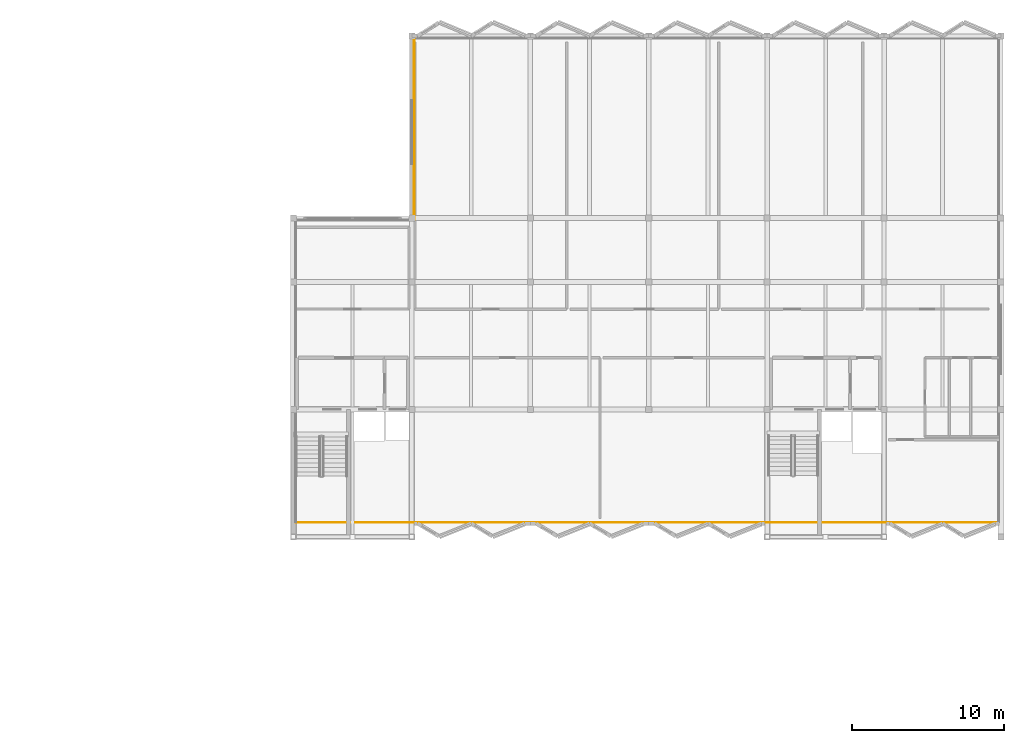
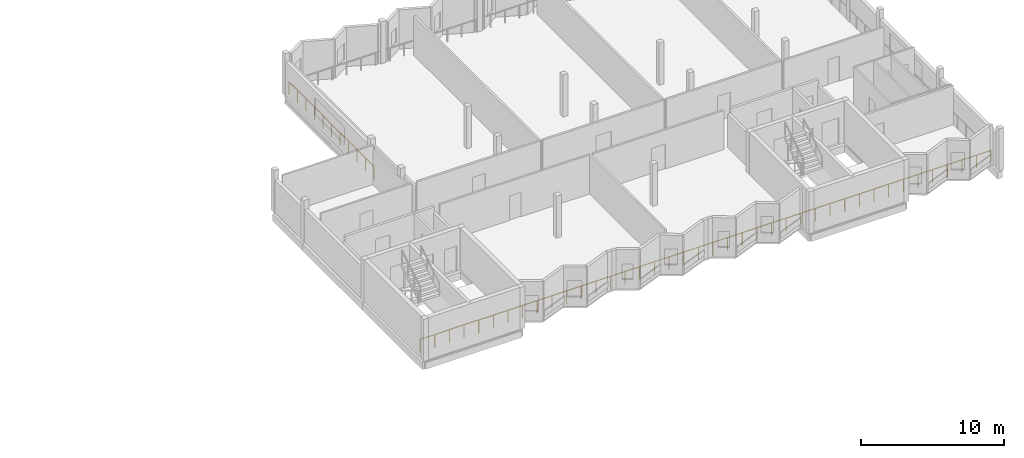
# One storey, part 13 of 15: 2 railings.
"""IFC4 building model written with IfcOpenShell, lengths in metres."""

from ifc_helpers import new_model, si_unit, direction, frame, origin, origin_2d, place, context, subcontext, project, spatial, circle, extrude, material, type_object, element, save


model = new_model("IFC4")

# Units and contexts
model_context = context("Model", 3, precision=1e-05, world=origin(), true_north=direction((0.0, 1.0)))
body_context = subcontext(model_context, "Body", "Model", "MODEL_VIEW")
ifc_project = project(units=[si_unit("LENGTHUNIT", "METRE"), si_unit("AREAUNIT", "SQUARE_METRE"), si_unit("VOLUMEUNIT", "CUBIC_METRE"), si_unit("PLANEANGLEUNIT", "RADIAN"), si_unit("MASSUNIT", "GRAM", prefix="KILO")], contexts=[model_context])

# Site, building, storey
site_placement = place(None, origin())
site = spatial("IfcSite", under=ifc_project, at=site_placement, CompositionType="ELEMENT")
building_placement = place(site_placement, origin())
building = spatial("IfcBuilding", under=site, at=building_placement, Name="Vharandega Faculty of Natural Sciences", CompositionType="ELEMENT")
storey_placement = place(building_placement, frame((0.0, 0.0, 32.39990234375)))
storey = spatial("IfcBuildingStorey", under=building, at=storey_placement, Name="L08", CompositionType="ELEMENT", Elevation=32.39990234375)

# Railings
ifc_material = material(Name="Galvanised painted steel balustrade", Category="steel")
railing_type = type_object("IfcRailingType", Name="Terrace Steel Guardrail 1100", PredefinedType="GUARDRAIL", material=ifc_material)
railing_1_placement = place(storey_placement, frame((114.97509765625, 64.949951171875, 0.0)))
element("IfcRailing", 1, at=railing_1_placement, inside=storey, type_object=railing_type, Name="Perimeter Sill Guard L08 #1", PredefinedType="GUARDRAIL", context=body_context, shape_type="SweptSolid", body=[
    extrude(circle(Radius=0.02392578125, at=origin_2d()), frame((0.0, 0.0, 1.076171875), z_axis=(1.0, 0.0, 0.0), x_axis=(0.0, 1.0, 0.0)), (0.0, 0.0, 1.0), 46.25),
    extrude(circle(Radius=0.02099609375, at=origin_2d()), origin(), (0.0, 0.0, 1.0), 1.052001953125),
    extrude(circle(Radius=0.02099609375, at=origin_2d()), frame((1.185791015625, 0.0, 0.0)), (0.0, 0.0, 1.0), 1.052001953125),
    extrude(circle(Radius=0.02099609375, at=origin_2d()), frame((2.371826171875, 0.0, 0.0)), (0.0, 0.0, 1.0), 1.052001953125),
    extrude(circle(Radius=0.02099609375, at=origin_2d()), frame((3.5576171875, 0.0, 0.0)), (0.0, 0.0, 1.0), 1.052001953125),
    extrude(circle(Radius=0.02099609375, at=origin_2d()), frame((4.74365234375, 0.0, 0.0)), (0.0, 0.0, 1.0), 1.052001953125),
    extrude(circle(Radius=0.02099609375, at=origin_2d()), frame((5.929443359375, 0.0, 0.0)), (0.0, 0.0, 1.0), 1.052001953125),
    extrude(circle(Radius=0.02099609375, at=origin_2d()), frame((7.115478515625, 0.0, 0.0)), (0.0, 0.0, 1.0), 1.052001953125),
    extrude(circle(Radius=0.02099609375, at=origin_2d()), frame((8.30126953125, 0.0, 0.0)), (0.0, 0.0, 1.0), 1.052001953125),
    extrude(circle(Radius=0.02099609375, at=origin_2d()), frame((9.487060546875, 0.0, 0.0)), (0.0, 0.0, 1.0), 1.052001953125),
    extrude(circle(Radius=0.02099609375, at=origin_2d()), frame((10.673095703125, 0.0, 0.0)), (0.0, 0.0, 1.0), 1.052001953125),
    extrude(circle(Radius=0.02099609375, at=origin_2d()), frame((11.85888671875, 0.0, 0.0)), (0.0, 0.0, 1.0), 1.052001953125),
    extrude(circle(Radius=0.02099609375, at=origin_2d()), frame((13.044921875, 0.0, 0.0)), (0.0, 0.0, 1.0), 1.052001953125),
    extrude(circle(Radius=0.02099609375, at=origin_2d()), frame((14.230712890625, 0.0, 0.0)), (0.0, 0.0, 1.0), 1.052001953125),
    extrude(circle(Radius=0.02099609375, at=origin_2d()), frame((15.416748046875, 0.0, 0.0)), (0.0, 0.0, 1.0), 1.052001953125),
    extrude(circle(Radius=0.02099609375, at=origin_2d()), frame((16.6025390625, 0.0, 0.0)), (0.0, 0.0, 1.0), 1.052001953125),
    extrude(circle(Radius=0.02099609375, at=origin_2d()), frame((17.78857421875, 0.0, 0.0)), (0.0, 0.0, 1.0), 1.052001953125),
    extrude(circle(Radius=0.02099609375, at=origin_2d()), frame((18.974365234375, 0.0, 0.0)), (0.0, 0.0, 1.0), 1.052001953125),
    extrude(circle(Radius=0.02099609375, at=origin_2d()), frame((20.16015625, 0.0, 0.0)), (0.0, 0.0, 1.0), 1.052001953125),
    extrude(circle(Radius=0.02099609375, at=origin_2d()), frame((21.34619140625, 0.0, 0.0)), (0.0, 0.0, 1.0), 1.052001953125),
    extrude(circle(Radius=0.02099609375, at=origin_2d()), frame((22.531982421875, 0.0, 0.0)), (0.0, 0.0, 1.0), 1.052001953125),
    extrude(circle(Radius=0.02099609375, at=origin_2d()), frame((23.718017578125, 0.0, 0.0)), (0.0, 0.0, 1.0), 1.052001953125),
    extrude(circle(Radius=0.02099609375, at=origin_2d()), frame((24.90380859375, 0.0, 0.0)), (0.0, 0.0, 1.0), 1.052001953125),
    extrude(circle(Radius=0.02099609375, at=origin_2d()), frame((26.08984375, 0.0, 0.0)), (0.0, 0.0, 1.0), 1.052001953125),
    extrude(circle(Radius=0.02099609375, at=origin_2d()), frame((27.275634765625, 0.0, 0.0)), (0.0, 0.0, 1.0), 1.052001953125),
    extrude(circle(Radius=0.02099609375, at=origin_2d()), frame((28.46142578125, 0.0, 0.0)), (0.0, 0.0, 1.0), 1.052001953125),
    extrude(circle(Radius=0.02099609375, at=origin_2d()), frame((29.6474609375, 0.0, 0.0)), (0.0, 0.0, 1.0), 1.052001953125),
    extrude(circle(Radius=0.02099609375, at=origin_2d()), frame((30.833251953125, 0.0, 0.0)), (0.0, 0.0, 1.0), 1.052001953125),
    extrude(circle(Radius=0.02099609375, at=origin_2d()), frame((32.019287109375, 0.0, 0.0)), (0.0, 0.0, 1.0), 1.052001953125),
    extrude(circle(Radius=0.02099609375, at=origin_2d()), frame((33.205078125, 0.0, 0.0)), (0.0, 0.0, 1.0), 1.052001953125),
    extrude(circle(Radius=0.02099609375, at=origin_2d()), frame((34.39111328125, 0.0, 0.0)), (0.0, 0.0, 1.0), 1.052001953125),
    extrude(circle(Radius=0.02099609375, at=origin_2d()), frame((35.576904296875, 0.0, 0.0)), (0.0, 0.0, 1.0), 1.052001953125),
    extrude(circle(Radius=0.02099609375, at=origin_2d()), frame((36.762939453125, 0.0, 0.0)), (0.0, 0.0, 1.0), 1.052001953125),
    extrude(circle(Radius=0.02099609375, at=origin_2d()), frame((37.94873046875, 0.0, 0.0)), (0.0, 0.0, 1.0), 1.052001953125),
    extrude(circle(Radius=0.02099609375, at=origin_2d()), frame((39.134521484375, 0.0, 0.0)), (0.0, 0.0, 1.0), 1.052001953125),
    extrude(circle(Radius=0.02099609375, at=origin_2d()), frame((40.320556640625, 0.0, 0.0)), (0.0, 0.0, 1.0), 1.052001953125),
    extrude(circle(Radius=0.02099609375, at=origin_2d()), frame((41.50634765625, 0.0, 0.0)), (0.0, 0.0, 1.0), 1.052001953125),
    extrude(circle(Radius=0.02099609375, at=origin_2d()), frame((42.6923828125, 0.0, 0.0)), (0.0, 0.0, 1.0), 1.052001953125),
    extrude(circle(Radius=0.02099609375, at=origin_2d()), frame((43.878173828125, 0.0, 0.0)), (0.0, 0.0, 1.0), 1.052001953125),
    extrude(circle(Radius=0.02099609375, at=origin_2d()), frame((45.064208984375, 0.0, 0.0)), (0.0, 0.0, 1.0), 1.052001953125),
    extrude(circle(Radius=0.02099609375, at=origin_2d()), frame((46.25, 0.0, 0.0)), (0.0, 0.0, 1.0), 1.052001953125),
])
railing_2_placement = place(storey_placement, frame((122.75, 96.824951171875, 0.0)))
element("IfcRailing", 2, at=railing_2_placement, inside=storey, type_object=railing_type, Name="Perimeter Sill Guard L08 #4", PredefinedType="GUARDRAIL", context=body_context, shape_type="SweptSolid", body=[
    extrude(circle(Radius=0.02392578125, at=origin_2d()), frame((0.0, 0.0, 1.076171875), z_axis=(0.0, -1.0, 0.0), x_axis=(1.0, 0.0, 0.0)), (0.0, 0.0, 1.0), 11.949951171875),
    extrude(circle(Radius=0.02099609375, at=origin_2d()), origin(), (0.0, 0.0, 1.0), 1.052001953125),
    extrude(circle(Radius=0.02099609375, at=origin_2d()), frame((0.0, -1.195068359375, 0.0)), (0.0, 0.0, 1.0), 1.052001953125),
    extrude(circle(Radius=0.02099609375, at=origin_2d()), frame((0.0, -2.389892578125, 0.0)), (0.0, 0.0, 1.0), 1.052001953125),
    extrude(circle(Radius=0.02099609375, at=origin_2d()), frame((0.0, -3.5849609375, 0.0)), (0.0, 0.0, 1.0), 1.052001953125),
    extrude(circle(Radius=0.02099609375, at=origin_2d()), frame((0.0, -4.780029296875, 0.0)), (0.0, 0.0, 1.0), 1.052001953125),
    extrude(circle(Radius=0.02099609375, at=origin_2d()), frame((0.0, -5.97509765625, 0.0)), (0.0, 0.0, 1.0), 1.052001953125),
    extrude(circle(Radius=0.02099609375, at=origin_2d()), frame((0.0, -7.169921875, 0.0)), (0.0, 0.0, 1.0), 1.052001953125),
    extrude(circle(Radius=0.02099609375, at=origin_2d()), frame((0.0, -8.364990234375, 0.0)), (0.0, 0.0, 1.0), 1.052001953125),
    extrude(circle(Radius=0.02099609375, at=origin_2d()), frame((0.0, -9.56005859375, 0.0)), (0.0, 0.0, 1.0), 1.052001953125),
    extrude(circle(Radius=0.02099609375, at=origin_2d()), frame((0.0, -10.7548828125, 0.0)), (0.0, 0.0, 1.0), 1.052001953125),
    extrude(circle(Radius=0.02099609375, at=origin_2d()), frame((0.0, -11.949951171875, 0.0)), (0.0, 0.0, 1.0), 1.052001953125),
])

save(model, "model.ifc")
